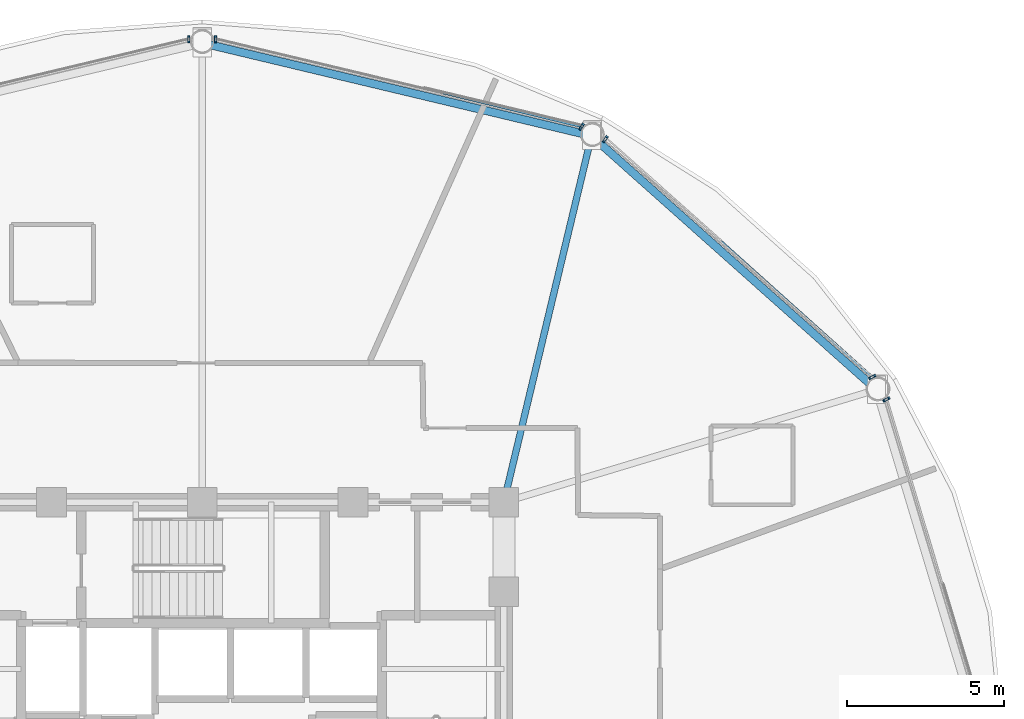
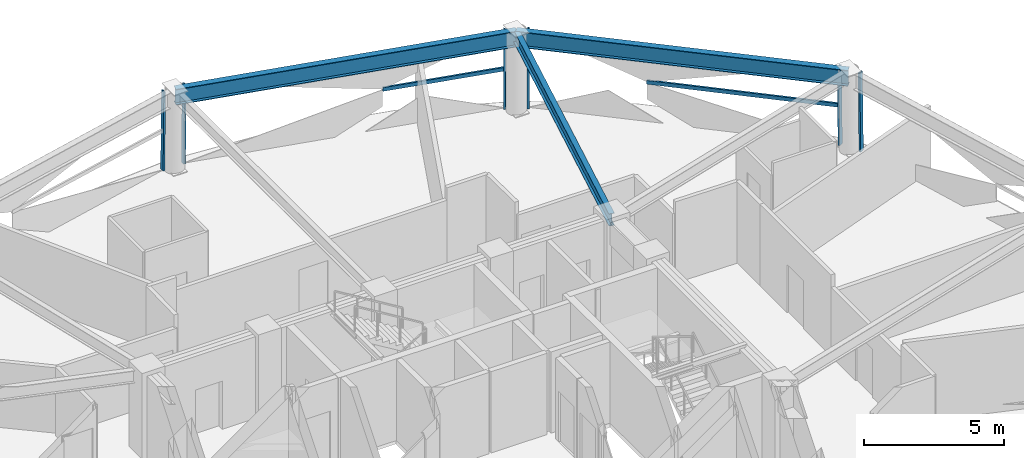
# One storey, part 7 of 16: 8 members, 3 beams, 4 elements without a shape of their own.
"""IFC4 building model written with IfcOpenShell, lengths in metres."""

from ifc_helpers import new_model, si_unit, direction, frame, origin, origin_2d, place, context, subcontext, project, spatial, hollow_rectangle, i_section, extrude, material, layer, layer_set, material_profile, profile_set, type_object, element, aggregate, save


model = new_model("IFC4")

# Units and contexts
model_context = context("Model", 3, precision=1e-05, world=origin(), true_north=direction((0.0, 1.0)))
body_context = subcontext(model_context, "Body", "Model", "MODEL_VIEW")
ifc_project = project(units=[si_unit("LENGTHUNIT", "METRE"), si_unit("AREAUNIT", "SQUARE_METRE"), si_unit("VOLUMEUNIT", "CUBIC_METRE"), si_unit("PLANEANGLEUNIT", "RADIAN"), si_unit("MASSUNIT", "GRAM", prefix="KILO")], contexts=[model_context])

# Site, building, storey
site_placement = place(None, origin())
site = spatial("IfcSite", under=ifc_project, at=site_placement, CompositionType="ELEMENT")
building_placement = place(site_placement, origin())
building = spatial("IfcBuilding", under=site, at=building_placement, Name="Vantalir Tower", CompositionType="ELEMENT")
storey_placement = place(building_placement, frame((0.0, 0.0, 145.949951171875)))
storey = spatial("IfcBuildingStorey", under=building, at=storey_placement, Name="L36", CompositionType="ELEMENT", Elevation=145.949951171875)

# Beams
ifc_material_1 = material(Name="Steel S355", Category="steel")
ifc_material_profile_1 = material_profile(ifc_material_1, i_section(OverallWidth=0.2109375, OverallDepth=0.5390625, WebThickness=0.01171875, FlangeThickness=0.018798828125, at=origin_2d()), Name="Steel S355")
ifc_profile_set_1 = profile_set([ifc_material_profile_1], Name="Steel S355")
beam_type_1 = type_object("IfcBeamType", Name="BM-RB-533x210", PredefinedType="BEAM", material=ifc_profile_set_1)
beam_1_placement = place(storey_placement, frame((43.89208984375, 44.112060546875, 3.301025390625), z_axis=(-0.232827745241, -0.972517990089, 0.0), x_axis=(0.972517990089, -0.232827745241, 0.0)))
element("IfcBeam", 1, at=beam_1_placement, inside=storey, type_object=beam_type_1, Name="L36 Radial Floor Beam 03", PredefinedType="BEAM", context=body_context, shape_type="SweptSolid", body=[
    extrude(i_section(OverallWidth=0.2109375, OverallDepth=0.5390625, WebThickness=0.01171875, FlangeThickness=0.018798828125, at=origin_2d()), origin(), (0.0, 0.0, 1.0), 11.99169921875),
])
ifc_material_2 = material(Name="Steel S460", Category="steel")
ifc_material_profile_2 = material_profile(ifc_material_2, i_section(OverallWidth=0.256103515625, OverallDepth=0.693115234375, WebThickness=0.014404296875, FlangeThickness=0.023681640625, at=origin_2d()), Name="Steel S460")
ifc_profile_set_2 = profile_set([ifc_material_profile_2], Name="Steel S460")
beam_type_2 = type_object("IfcBeamType", Name="BM-RG-686x254", PredefinedType="USERDEFINED", material=ifc_profile_set_2)
beam_2_placement = place(storey_placement, frame((52.962890625, 36.033935546875, 3.22412109375), z_axis=(-0.746787977639, 0.665062189915, 0.0), x_axis=(-0.665062189915, -0.746787977639, 0.0)))
element("IfcBeam", 2, at=beam_2_placement, inside=storey, type_object=beam_type_2, Name="L36 Circumferential Ring Girder 02", ObjectType="GIRDER", PredefinedType="USERDEFINED", context=body_context, shape_type="SweptSolid", body=[
    extrude(i_section(OverallWidth=0.256103515625, OverallDepth=0.693115234375, WebThickness=0.014404296875, FlangeThickness=0.023681640625, at=origin_2d()), origin(), (0.0, 0.0, 1.0), 12.146484375),
])
beam_3_placement = place(storey_placement, frame((43.89208984375, 44.112060546875, 3.22412109375), z_axis=(-0.972690538126, 0.232105831549, 0.0), x_axis=(-0.232105831549, -0.972690538126, 0.0)))
element("IfcBeam", 3, at=beam_3_placement, inside=storey, type_object=beam_type_2, Name="L36 Circumferential Ring Girder 03", ObjectType="GIRDER", PredefinedType="USERDEFINED", context=body_context, shape_type="SweptSolid", body=[
    extrude(i_section(OverallWidth=0.256103515625, OverallDepth=0.693115234375, WebThickness=0.014404296875, FlangeThickness=0.023681640625, at=origin_2d()), origin(), (0.0, 0.0, 1.0), 12.739990234375),
])

# Curtain wall, member
ifc_material_3 = material(Name="Champagne-silver PVDF aluminium and double-silver Low-E glass", Category="aluminium")
ifc_layer = layer(ifc_material_3, 0.199951171875)
ifc_layer_set = layer_set([ifc_layer], Name="Champagne-silver PVDF aluminium and double-silver Low-E glass")
curtain_wall_type = type_object("IfcCurtainWallType", Name="CW-DIAMOND-Z2", PredefinedType="USERDEFINED", material=ifc_layer_set)
curtain_wall_1_placement = place(storey_placement, origin())
curtain_wall_1 = element("IfcCurtainWall", 4, at=curtain_wall_1_placement, inside=storey, type_object=curtain_wall_type, Name="L36 Quilted Pyramid-Diamond Curtain Wall S01", ObjectType="UNITISED CURTAIN WALL", PredefinedType="USERDEFINED")
ifc_material_4 = material(Name="Champagne-silver PVDF aluminium 6063-T6", Category="aluminium")
ifc_material_profile_3 = material_profile(ifc_material_4, hollow_rectangle(XDim=0.074951171875, YDim=0.179931640625, WallThickness=0.00390625, at=origin_2d()), Name="Champagne-silver PVDF aluminium 6063-T6")
ifc_profile_set_3 = profile_set([ifc_material_profile_3], Name="Champagne-silver PVDF aluminium 6063-T6")
member_type_1 = type_object("IfcMemberType", Name="CWM-180x75", PredefinedType="MULLION", material=ifc_profile_set_3)
member_1_placement = place(storey_placement, frame((53.30810546875, 35.736083984375, 0.045166015625), z_axis=(-0.015572180284, -0.008066669967, 0.999846206192), x_axis=(0.459966883577, -0.887936070904, 0.0)))
member_1 = element("IfcMember", 5, at=member_1_placement, type_object=member_type_1, Name="CW-L36-S01 Mullion 2", PredefinedType="MULLION", context=body_context, shape_type="SweptSolid", body=[
    extrude(hollow_rectangle(XDim=0.074951171875, YDim=0.179931640625, WallThickness=0.00390625, at=origin_2d()), origin(), (0.0, 0.0, 1.0), 3.48046875),
])
aggregate(curtain_wall_1, [member_1])

# Curtain wall, members
curtain_wall_2_placement = place(storey_placement, origin())
curtain_wall_2 = element("IfcCurtainWall", 6, at=curtain_wall_2_placement, inside=storey, type_object=curtain_wall_type, Name="L36 Quilted Pyramid-Diamond Curtain Wall S02", ObjectType="UNITISED CURTAIN WALL", PredefinedType="USERDEFINED")
member_2_placement = place(storey_placement, frame((52.85302734375, 36.449951171875, 0.045166015625), z_axis=(-0.015502060957, -0.007996538231, 0.999847859168), x_axis=(0.458438038271, -0.888726372438, 0.0)))
member_2 = element("IfcMember", 7, at=member_2_placement, type_object=member_type_1, Name="CW-L36-S02 Mullion 1", PredefinedType="MULLION", context=body_context, shape_type="SweptSolid", body=[
    extrude(hollow_rectangle(XDim=0.074951171875, YDim=0.179931640625, WallThickness=0.00390625, at=origin_2d()), origin(), (0.0, 0.0, 1.0), 3.48046875),
])
member_3_placement = place(storey_placement, frame((44.345947265625, 44.031005859375, 0.045166015625), z_axis=(-0.008908609565, -0.013538280677, 0.999868667192), x_axis=(0.835364778861, -0.54969599438, 0.0)))
member_3 = element("IfcMember", 8, at=member_3_placement, type_object=member_type_1, Name="CW-L36-S02 Mullion 2", PredefinedType="MULLION", context=body_context, shape_type="SweptSolid", body=[
    extrude(hollow_rectangle(XDim=0.074951171875, YDim=0.179931640625, WallThickness=0.00390625, at=origin_2d()), origin(), (0.0, 0.0, 1.0), 3.48046875),
])

curtain_wall_3_placement = place(storey_placement, origin())
curtain_wall_3 = element("IfcCurtainWall", 9, at=curtain_wall_3_placement, inside=storey, type_object=curtain_wall_type, Name="L36 Quilted Pyramid-Diamond Curtain Wall S03", ObjectType="UNITISED CURTAIN WALL", PredefinedType="USERDEFINED")
member_4_placement = place(storey_placement, frame((43.590087890625, 44.426025390625, 0.045166015625), z_axis=(-0.008908609565, -0.013538280677, 0.999868667192), x_axis=(0.835364778861, -0.54969599438, 0.0)))
member_4 = element("IfcMember", 10, at=member_4_placement, type_object=member_type_1, Name="CW-L36-S03 Mullion 1", PredefinedType="MULLION", context=body_context, shape_type="SweptSolid", body=[
    extrude(hollow_rectangle(XDim=0.074951171875, YDim=0.179931640625, WallThickness=0.00390625, at=origin_2d()), origin(), (0.0, 0.0, 1.0), 3.48046875),
])
member_5_placement = place(storey_placement, frame((31.927978515625, 47.2119140625, 0.045166015625), z_axis=(0.0, -0.015783076602, 0.999875439489), x_axis=(1.0, 0.0, 0.0)))
member_5 = element("IfcMember", 11, at=member_5_placement, type_object=member_type_1, Name="CW-L36-S03 Mullion 2", PredefinedType="MULLION", context=body_context, shape_type="SweptSolid", body=[
    extrude(hollow_rectangle(XDim=0.074951171875, YDim=0.179931640625, WallThickness=0.00390625, at=origin_2d()), origin(), (0.0, 0.0, 1.0), 3.48046875),
])

# Curtain wall, member
curtain_wall_4_placement = place(storey_placement, origin())
curtain_wall_4 = element("IfcCurtainWall", 12, at=curtain_wall_4_placement, inside=storey, type_object=curtain_wall_type, Name="L36 Quilted Pyramid-Diamond Curtain Wall S04", ObjectType="UNITISED CURTAIN WALL", PredefinedType="USERDEFINED")
member_6_placement = place(storey_placement, frame((31.072021484375, 47.2119140625, 0.045166015625), z_axis=(0.0, -0.015783076602, 0.999875439489), x_axis=(1.0, 0.0, 0.0)))
member_6 = element("IfcMember", 13, at=member_6_placement, type_object=member_type_1, Name="CW-L36-S04 Mullion 1", PredefinedType="MULLION", context=body_context, shape_type="SweptSolid", body=[
    extrude(hollow_rectangle(XDim=0.074951171875, YDim=0.179931640625, WallThickness=0.00390625, at=origin_2d()), origin(), (0.0, 0.0, 1.0), 3.48046875),
])
aggregate(curtain_wall_4, [member_6])

# Member
ifc_material_profile_4 = material_profile(ifc_material_4, hollow_rectangle(XDim=0.074951171875, YDim=0.159912109375, WallThickness=0.00390625, at=origin_2d()), Name="Champagne-silver PVDF aluminium 6063-T6")
ifc_profile_set_4 = profile_set([ifc_material_profile_4], Name="Champagne-silver PVDF aluminium 6063-T6")
member_type_2 = type_object("IfcMemberType", Name="CWT-160x75", PredefinedType="USERDEFINED", material=ifc_profile_set_4)
member_7_placement = place(storey_placement, frame((52.825927734375, 36.43603515625, 1.78515625), z_axis=(-0.744284632699, 0.667862549877, 0.0), x_axis=(-0.667862549877, -0.744284632699, 0.0)))
member_7 = element("IfcMember", 14, at=member_7_placement, type_object=member_type_2, Name="CW-L36-S02 Pyramid Fold Ridge Transom", ObjectType="TRANSOM", PredefinedType="USERDEFINED", context=body_context, shape_type="SweptSolid", body=[
    extrude(hollow_rectangle(XDim=0.074951171875, YDim=0.159912109375, WallThickness=0.00390625, at=origin_2d()), origin(), (0.0, 0.0, 1.0), 7.0537109375),
])

aggregate(curtain_wall_2, [member_2, member_3, member_7])

member_8_placement = place(storey_placement, frame((43.574951171875, 44.403076171875, 1.78515625), z_axis=(-0.971454289527, 0.237226818381, 0.0), x_axis=(-0.237226818381, -0.971454289527, 0.0)))
member_8 = element("IfcMember", 15, at=member_8_placement, type_object=member_type_2, Name="CW-L36-S03 Pyramid Fold Ridge Transom", ObjectType="TRANSOM", PredefinedType="USERDEFINED", context=body_context, shape_type="SweptSolid", body=[
    extrude(hollow_rectangle(XDim=0.074951171875, YDim=0.159912109375, WallThickness=0.00390625, at=origin_2d()), origin(), (0.0, 0.0, 1.0), 4.5478515625),
])

aggregate(curtain_wall_3, [member_4, member_5, member_8])

save(model, "model.ifc")
